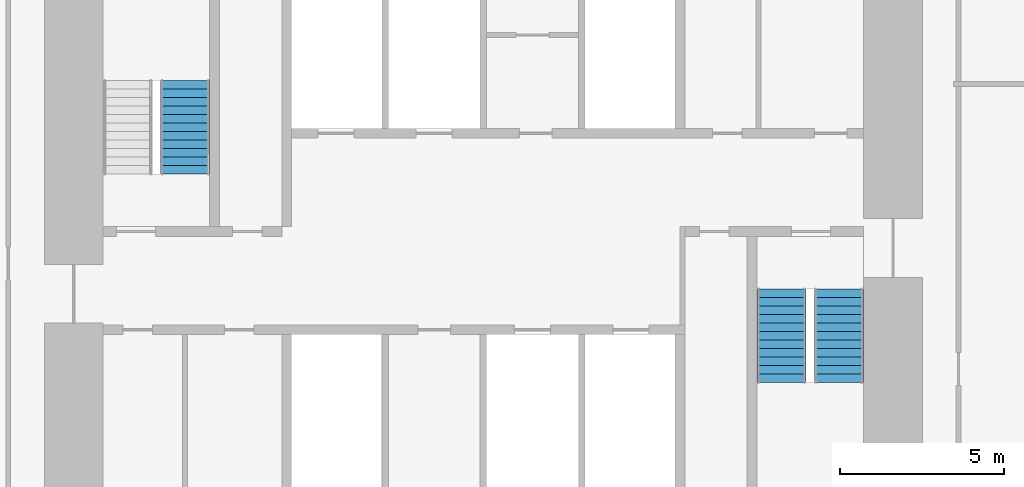
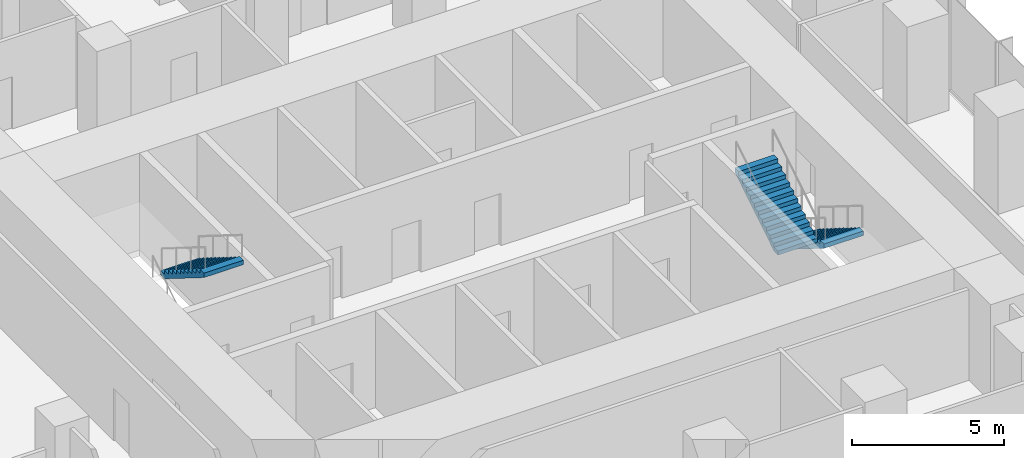
# One storey, part 11 of 12: 3 stair flights, 2 elements without a shape of their own.
"""IFC4 building model written with IfcOpenShell, lengths in metres."""

import ifcopenshell
import ifcopenshell.guid

model = None  # the IFC model being written
_history = None  # IfcOwnerHistory: only IFC2X3 demands one
_inside = {}  # id of a spatial element -> (the spatial element, [elements in it])
_under = {}  # id of a project, library or spatial element -> (it, [spatial elements below it])
_declared = {}  # id of a project -> (the project, [libraries it declares])
_typed = {}  # id of a type object -> (the type object, [elements of that type])
_made_of = {}  # id of a material, layer set ... -> (it, [elements and type objects made of it])


def new_model(schema):
    """Start an empty IFC model of exactly this schema.

    Asked for "IFC4X3", IfcOpenShell would pick the latest addendum, in which some entities
    have other attributes; the version numbers below select the first issue.
    IFC2X3 requires an IfcOwnerHistory on every rooted entity: one is made here for all.
    """
    global model, _history
    if schema == "IFC4X3":
        model = ifcopenshell.file(schema_version=(4, 3, 0, 0))
    else:
        model = ifcopenshell.file(schema=schema)
    _inside.clear()
    _under.clear()
    _declared.clear()
    _typed.clear()
    _made_of.clear()
    _history = None
    if model.schema == "IFC2X3":
        org = make("IfcOrganization", Name="unknown")
        user = make(
            "IfcPersonAndOrganization",
            ThePerson=make("IfcPerson", FamilyName="unknown"),
            TheOrganization=org,
        )
        app = make(
            "IfcApplication",
            ApplicationDeveloper=org,
            Version="unknown",
            ApplicationFullName="unknown",
            ApplicationIdentifier="unknown",
        )
        _history = make(
            "IfcOwnerHistory",
            OwningUser=user,
            OwningApplication=app,
            ChangeAction="ADDED",
            CreationDate=0,
        )
    return model


def make(cls, **values):
    """One entity of the class cls with the attributes given. An attribute that is None is left unset."""
    return model.create_entity(
        cls, **{name: value for name, value in values.items() if value is not None}
    )


def rooted(cls, **values):
    """An entity with a GlobalId (a new one), such as an element, a storey or a relation."""
    return make(cls, GlobalId=ifcopenshell.guid.new(), OwnerHistory=_history, **values)


def si_unit(unit_type, name, prefix=None):
    """IfcSIUnit, for example si_unit("LENGTHUNIT", "METRE", prefix="MILLI")."""
    return make("IfcSIUnit", UnitType=unit_type, Prefix=prefix, Name=name)


def assignment(units):
    """IfcUnitAssignment: the units of a project."""
    return None if units is None else make("IfcUnitAssignment", Units=units)


def point(xyz):
    """IfcCartesianPoint."""
    return None if xyz is None else make("IfcCartesianPoint", Coordinates=xyz)


def direction(xyz):
    """IfcDirection."""
    return None if xyz is None else make("IfcDirection", DirectionRatios=xyz)


def frame(location, z_axis=None, x_axis=None):
    """IfcAxis2Placement3D, a coordinate frame: its origin and axes. An axis left out is left unset."""
    return make(
        "IfcAxis2Placement3D",
        Location=point(location),
        Axis=direction(z_axis),
        RefDirection=direction(x_axis),
    )


def origin():
    """The frame at (0, 0, 0) with its axes left unset."""
    return frame((0.0, 0.0, 0.0))


def place(relative_to, where):
    """IfcLocalPlacement: puts the frame where relative to a parent placement (None: the world)."""
    return make(
        "IfcLocalPlacement", PlacementRelTo=relative_to, RelativePlacement=where
    )


def context(
    kind, dimensions, precision=None, world=None, true_north=None, identifier=None
):
    """IfcGeometricRepresentationContext, for example the 3D "Model" context."""
    return make(
        "IfcGeometricRepresentationContext",
        ContextIdentifier=identifier,
        ContextType=kind,
        CoordinateSpaceDimension=dimensions,
        Precision=precision,
        WorldCoordinateSystem=world,
        TrueNorth=true_north,
    )


def subcontext(parent, identifier, kind, view, scale=None):
    """IfcGeometricRepresentationSubContext, for example "Body" below "Model"."""
    return make(
        "IfcGeometricRepresentationSubContext",
        ContextIdentifier=identifier,
        ContextType=kind,
        ParentContext=parent,
        TargetScale=scale,
        TargetView=view,
    )


def project(units=None, contexts=None):
    """IfcProject with its units and contexts."""
    return rooted(
        "IfcProject",
        Name="project",
        RepresentationContexts=contexts,
        UnitsInContext=assignment(units),
    )


def spatial(cls, under=None, at=None, **own):
    """A site, building, storey or space (cls), placed at a placement, below another one or the project."""
    s = rooted(cls, ObjectPlacement=at, **own)
    if under is not None:
        _under.setdefault(under.id(), (under, []))[1].append(s)
    return s


def polyline(points):
    """IfcPolyline through the points."""
    return make("IfcPolyline", Points=[point(p) for p in points])


def outline(outer, holes=None, kind="AREA"):
    """IfcArbitraryClosedProfileDef: a profile drawn as a closed curve; with holes, ...WithVoids."""
    if holes is None:
        return make("IfcArbitraryClosedProfileDef", ProfileType=kind, OuterCurve=outer)
    return make(
        "IfcArbitraryProfileDefWithVoids",
        ProfileType=kind,
        OuterCurve=outer,
        InnerCurves=holes,
    )


def extrude(swept, where, along, depth):
    """IfcExtrudedAreaSolid: the profile swept, set in the frame where, extruded along a direction by depth."""
    return make(
        "IfcExtrudedAreaSolid",
        SweptArea=swept,
        Position=where,
        ExtrudedDirection=direction(along),
        Depth=depth,
    )


def shape(context_of_items, identifier, shape_type, items):
    """IfcShapeRepresentation: the items that make up one representation, for example the "Body"."""
    return make(
        "IfcShapeRepresentation",
        ContextOfItems=context_of_items,
        RepresentationIdentifier=identifier,
        RepresentationType=shape_type,
        Items=items,
    )


def material(Name=None, Category=None):
    """IfcMaterial."""
    return make("IfcMaterial", Name=Name, Category=Category)


def made_of(thing, what):
    """Note that an element or type object is made of a material, layer set ...; save() writes the relation."""
    if what is not None:
        _made_of.setdefault(what.id(), (what, []))[1].append(thing)
    return thing


def type_object(cls, material=None, **own):
    """A type object (cls), such as IfcWallType, which elements share."""
    return made_of(rooted(cls, **own), material)


def element(
    cls,
    number,
    at=None,
    inside=None,
    cuts=None,
    type_object=None,
    material=None,
    context=None,
    identifier="Body",
    shape_type=None,
    held_by="IfcProductDefinitionShape",
    body=None,
    shapes=None,
    **own,
):
    """One element of the class cls, such as IfcWall. Its Tag is "e" and its number.

    at: its placement. inside: the storey or other place that contains it. cuts: it is an
    opening in that element (IfcRelVoidsElement). A single representation is given by context,
    identifier, shape_type and body (its items); several are given by shapes. held_by: the class
    of the entity that holds the representations. save() writes the other relations.
    """
    e = rooted(cls, Tag="e%d" % number, ObjectPlacement=at, **own)
    if body is not None:
        shapes = [shape(context, identifier, shape_type, body)]
    if shapes is not None:
        e.Representation = make(held_by, Representations=shapes)
    if inside is not None:
        _inside.setdefault(inside.id(), (inside, []))[1].append(e)
    if cuts is not None:
        rooted(
            "IfcRelVoidsElement", RelatingBuildingElement=cuts, RelatedOpeningElement=e
        )
    if type_object is not None:
        _typed.setdefault(type_object.id(), (type_object, []))[1].append(e)
    return made_of(e, material)


def aggregate(whole, parts):
    """IfcRelAggregates: a whole, such as a stair, and the parts it consists of."""
    return rooted("IfcRelAggregates", RelatingObject=whole, RelatedObjects=parts)


def save(model, path):
    """Write the relations noted so far, then the file.

    IfcRelAggregates (storeys below a building ...), IfcRelContainedInSpatialStructure (elements
    in a storey), IfcRelDefinesByType, IfcRelAssociatesMaterial and IfcRelDeclares: one each for
    every whole, place, type object, material and project.
    """
    for whole, parts in _under.values():
        aggregate(whole, parts)
    for where, things in _inside.values():
        rooted(
            "IfcRelContainedInSpatialStructure",
            RelatedElements=things,
            RelatingStructure=where,
        )
    for kind, things in _typed.values():
        rooted("IfcRelDefinesByType", RelatedObjects=things, RelatingType=kind)
    for what, things in _made_of.values():
        rooted("IfcRelAssociatesMaterial", RelatedObjects=things, RelatingMaterial=what)
    for by, libraries in _declared.values():
        rooted("IfcRelDeclares", RelatingContext=by, RelatedDefinitions=libraries)
    model.write(path)


model = new_model("IFC4")

# Units and contexts
model_context = context("Model", 3, precision=1e-05, world=origin(), true_north=direction((0.0, 1.0)))
body_context = subcontext(model_context, "Body", "Model", "MODEL_VIEW")
ifc_project = project(units=[si_unit("LENGTHUNIT", "METRE"), si_unit("AREAUNIT", "SQUARE_METRE"), si_unit("VOLUMEUNIT", "CUBIC_METRE"), si_unit("PLANEANGLEUNIT", "RADIAN"), si_unit("MASSUNIT", "GRAM", prefix="KILO")], contexts=[model_context])

# Site, building, storey
site_placement = place(None, origin())
site = spatial("IfcSite", under=ifc_project, at=site_placement, CompositionType="ELEMENT")
building_placement = place(site_placement, origin())
building = spatial("IfcBuilding", under=site, at=building_placement, Name="Highveld Stack Headquarters", CompositionType="ELEMENT")
storey_placement = place(building_placement, frame((0.0, 0.0, 231.800048828125)))
storey = spatial("IfcBuildingStorey", under=building, at=storey_placement, Name="L57", CompositionType="ELEMENT", Elevation=231.800048828125)

# Stair, stair flight
ifc_material_1 = material(Name="Concrete C40/50, precast", Category="concrete")
stair_type_1 = type_object("IfcStairType", Name="STAIR S1 HALF TURN 1500", PredefinedType="HALF_TURN_STAIR", material=ifc_material_1)
stair_1_placement = place(storey_placement, origin())
stair_1 = element("IfcStair", 1, at=stair_1_placement, inside=storey, type_object=stair_type_1, Name="Stair S1 L57", PredefinedType="HALF_TURN_STAIR")
ifc_material_2 = material(Name="Concrete C40/50, precast", Category="concrete")
stair_flight_type = type_object("IfcStairFlightType", Name="STAIR FLIGHT 1500 PRECAST", PredefinedType="STRAIGHT", material=ifc_material_2)
stair_flight_1_placement = place(storey_placement, frame((-3.10009765625, 7.610107421875, 1.949951171875), z_axis=(0.0, 0.0, 1.0), x_axis=(0.0, -1.0, 0.0)))
stair_flight_1 = element("IfcStairFlight", 2, at=stair_flight_1_placement, type_object=stair_flight_type, Name="S1 flight 2", NumberOfRisers=12, NumberOfTreads=11, PredefinedType="STRAIGHT", RiserHeight=0.1625, TreadLength=0.26, context=body_context, shape_type="SweptSolid", body=[
    extrude(outline(polyline([(0.0, 0.0), (0.0, 0.16259765625), (0.260009765625, 0.16259765625), (0.260009765625, 0.324951171875), (0.52001953125, 0.324951171875), (0.52001953125, 0.487548828125), (0.780029296875, 0.487548828125), (0.780029296875, 0.64990234375), (1.0400390625, 0.64990234375), (1.0400390625, 0.8125), (1.300048828125, 0.8125), (1.300048828125, 0.97509765625), (1.56005859375, 0.97509765625), (1.56005859375, 1.137451171875), (1.820068359375, 1.137451171875), (1.820068359375, 1.300048828125), (2.080078125, 1.300048828125), (2.080078125, 1.46240234375), (2.340087890625, 1.46240234375), (2.340087890625, 1.625), (2.60009765625, 1.625), (2.60009765625, 1.78759765625), (2.860107421875, 1.78759765625), (2.860107421875, 1.949951171875), (2.860107421875, 1.61083984375), (0.28271484375, 0.0), (0.0, 0.0)])), frame((0.0, 0.75, 0.0), z_axis=(0.0, -1.0, 0.0), x_axis=(1.0, 0.0, 0.0)), (0.0, 0.0, 1.0), 1.5),
])
aggregate(stair_1, [stair_flight_1])

# Stair, stair flights
ifc_material_3 = material(Name="Concrete C40/50, precast", Category="concrete")
stair_type_2 = type_object("IfcStairType", Name="STAIR S2 HALF TURN 1500", PredefinedType="HALF_TURN_STAIR", material=ifc_material_3)
stair_2_placement = place(storey_placement, origin())
stair_2 = element("IfcStair", 3, at=stair_2_placement, inside=storey, type_object=stair_type_2, Name="Stair S2 L57", PredefinedType="HALF_TURN_STAIR")
stair_flight_2_placement = place(storey_placement, frame((16.85009765625, 1.25, 0.0), z_axis=(0.0, 0.0, 1.0), x_axis=(0.0, -1.0, 0.0)))
stair_flight_2 = element("IfcStairFlight", 4, at=stair_flight_2_placement, type_object=stair_flight_type, Name="S2 flight 1", NumberOfRisers=12, NumberOfTreads=11, PredefinedType="STRAIGHT", RiserHeight=0.1625, TreadLength=0.26, context=body_context, shape_type="SweptSolid", body=[
    extrude(outline(polyline([(0.0, 0.0), (0.0, 0.16259765625), (0.260009765625, 0.16259765625), (0.260009765625, 0.324951171875), (0.52001953125, 0.324951171875), (0.52001953125, 0.487548828125), (0.780029296875, 0.487548828125), (0.780029296875, 0.64990234375), (1.0400390625, 0.64990234375), (1.0400390625, 0.8125), (1.300048828125, 0.8125), (1.300048828125, 0.97509765625), (1.56005859375, 0.97509765625), (1.56005859375, 1.137451171875), (1.820068359375, 1.137451171875), (1.820068359375, 1.300048828125), (2.080078125, 1.300048828125), (2.080078125, 1.46240234375), (2.340087890625, 1.46240234375), (2.340087890625, 1.625), (2.60009765625, 1.625), (2.60009765625, 1.78759765625), (2.860107421875, 1.78759765625), (2.860107421875, 1.949951171875), (2.860107421875, 1.61083984375), (0.28271484375, 0.0), (0.0, 0.0)])), frame((0.0, 0.75, 0.0), z_axis=(0.0, -1.0, 0.0), x_axis=(1.0, 0.0, 0.0)), (0.0, 0.0, 1.0), 1.5),
])
stair_flight_3_placement = place(storey_placement, frame((15.10009765625, -1.610107421875, 1.949951171875), z_axis=(0.0, 0.0, 1.0), x_axis=(0.0, 1.0, 0.0)))
stair_flight_3 = element("IfcStairFlight", 5, at=stair_flight_3_placement, type_object=stair_flight_type, Name="S2 flight 2", NumberOfRisers=12, NumberOfTreads=11, PredefinedType="STRAIGHT", RiserHeight=0.1625, TreadLength=0.26, context=body_context, shape_type="SweptSolid", body=[
    extrude(outline(polyline([(0.0, 0.0), (0.0, 0.16259765625), (0.260009765625, 0.16259765625), (0.260009765625, 0.324951171875), (0.52001953125, 0.324951171875), (0.52001953125, 0.487548828125), (0.780029296875, 0.487548828125), (0.780029296875, 0.64990234375), (1.0400390625, 0.64990234375), (1.0400390625, 0.8125), (1.300048828125, 0.8125), (1.300048828125, 0.97509765625), (1.56005859375, 0.97509765625), (1.56005859375, 1.137451171875), (1.820068359375, 1.137451171875), (1.820068359375, 1.300048828125), (2.080078125, 1.300048828125), (2.080078125, 1.46240234375), (2.340087890625, 1.46240234375), (2.340087890625, 1.625), (2.60009765625, 1.625), (2.60009765625, 1.78759765625), (2.860107421875, 1.78759765625), (2.860107421875, 1.949951171875), (2.860107421875, 1.61083984375), (0.28271484375, 0.0), (0.0, 0.0)])), frame((0.0, 0.75, 0.0), z_axis=(0.0, -1.0, 0.0), x_axis=(1.0, 0.0, 0.0)), (0.0, 0.0, 1.0), 1.5),
])
aggregate(stair_2, [stair_flight_2, stair_flight_3])

save(model, "model.ifc")
